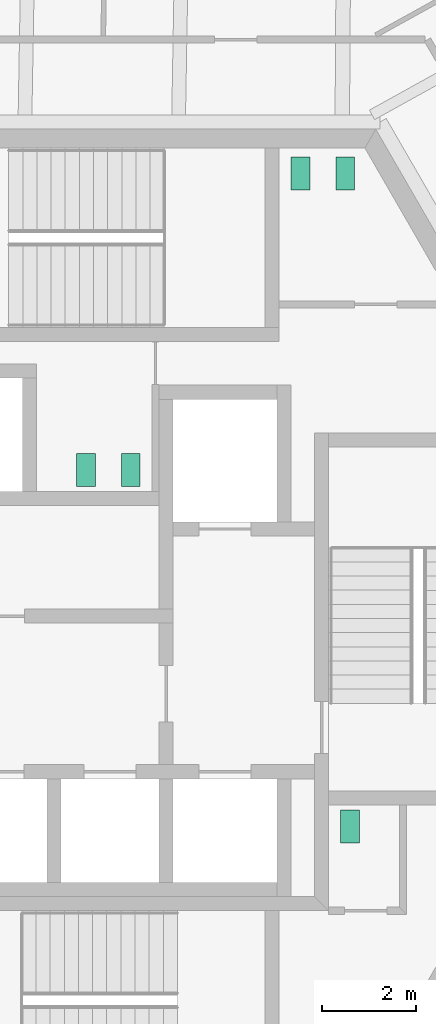
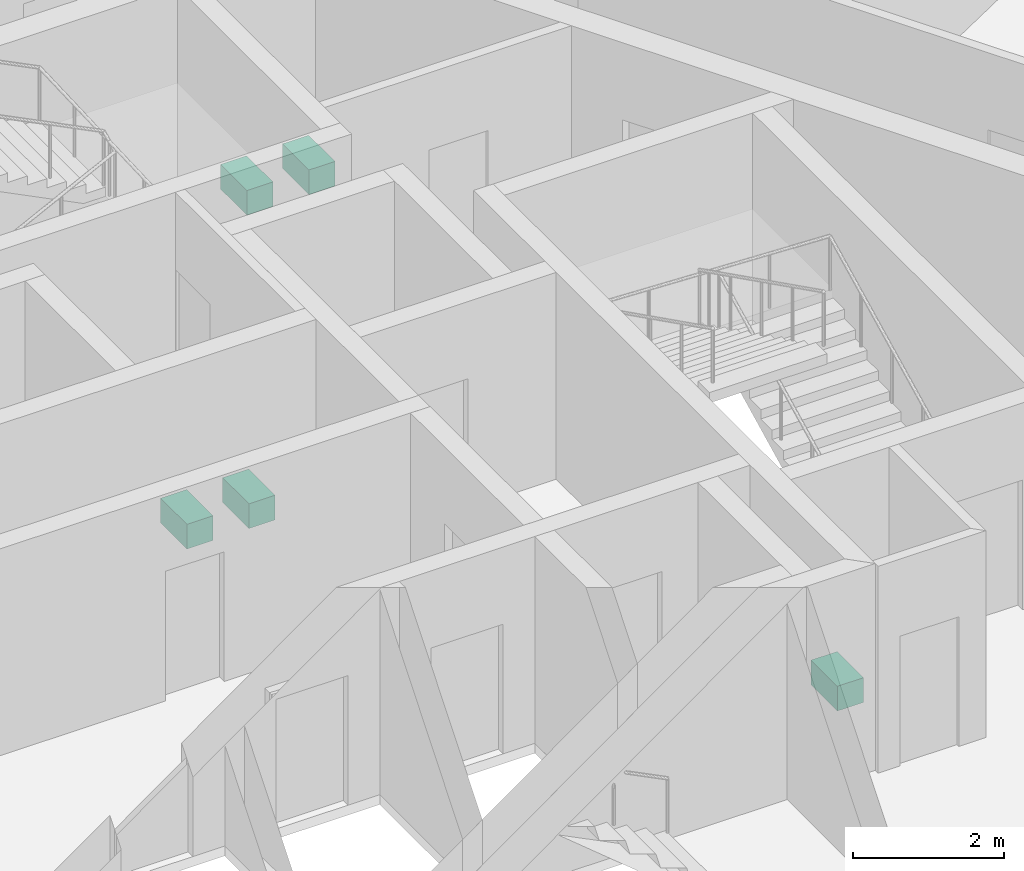
# One storey, part 22 of 24: 5 sanitary terminals.
"""IFC4 building model written with IfcOpenShell, lengths in metres."""

from ifc_helpers import new_model, si_unit, direction, frame, origin, origin_2d, place, context, subcontext, project, spatial, rectangle, extrude, source, transform, mapped, material, element, save


model = new_model("IFC4")

# Units and contexts
model_context = context("Model", 3, precision=1e-05, world=origin(), true_north=direction((0.0, 1.0)))
body_context = subcontext(model_context, "Body", "Model", "MODEL_VIEW")
ifc_project = project(units=[si_unit("LENGTHUNIT", "METRE"), si_unit("AREAUNIT", "SQUARE_METRE"), si_unit("VOLUMEUNIT", "CUBIC_METRE"), si_unit("PLANEANGLEUNIT", "RADIAN"), si_unit("MASSUNIT", "GRAM", prefix="KILO")], contexts=[model_context])

# Site, building, storey
site_placement = place(None, origin())
site = spatial("IfcSite", under=ifc_project, at=site_placement, CompositionType="ELEMENT")
building_placement = place(site_placement, origin())
building = spatial("IfcBuilding", under=site, at=building_placement, Name="Triune Harvest Tower", CompositionType="ELEMENT")
storey_placement = place(building_placement, frame((0.0, 0.0, 212.300048828125)))
storey = spatial("IfcBuildingStorey", under=building, at=storey_placement, Name="L55", CompositionType="ELEMENT", Elevation=212.300048828125)

# Sanitary terminals
ifc_material = material(Name="Vitreous china")
shared_shape = source(origin(), body_context, "Body", "SweptSolid", [
    extrude(rectangle(XDim=0.39990234375, YDim=0.699951171875, at=origin_2d()), origin(), (0.0, 0.0, 1.0), 0.39990234375),
])
for number, where, z_axis, x_axis, name in (
    (1, (4.39990234375, 9.449951171875, 0.0), (0.0, 0.0, 1.0), (1.0, 0.0, 0.0), "Toilet pan L55.c01"),
    (2, (5.35009765625, 9.449951171875, 0.0), (0.0, 0.0, 1.0), (1.0, 0.0, 0.0), "Toilet pan L55.c02"),
    (3, (0.800048828125, 3.159912109375, 0.0), (0.0, 0.0, 1.0), (-1.0, 0.0, 0.0), "Toilet pan L55.c03"),
    (4, (-0.14990234375, 3.159912109375, 0.0), (0.0, 0.0, 1.0), (-1.0, 0.0, 0.0), "Toilet pan L55.c04"),
    (5, (5.449951171875, -4.39990234375, 0.0), (0.0, 0.0, 1.0), (1.0, 0.0, 0.0), "Toilet pan L55.c05"),
):
    element("IfcSanitaryTerminal", number, at=place(storey_placement, frame(where, z_axis=z_axis, x_axis=x_axis)), inside=storey, material=ifc_material, Name=name, PredefinedType="TOILETPAN", context=body_context, shape_type="MappedRepresentation", body=[
        mapped(shared_shape, transform((0.0, 0.0, 0.0), scale=1.0)),
    ])

save(model, "model.ifc")
